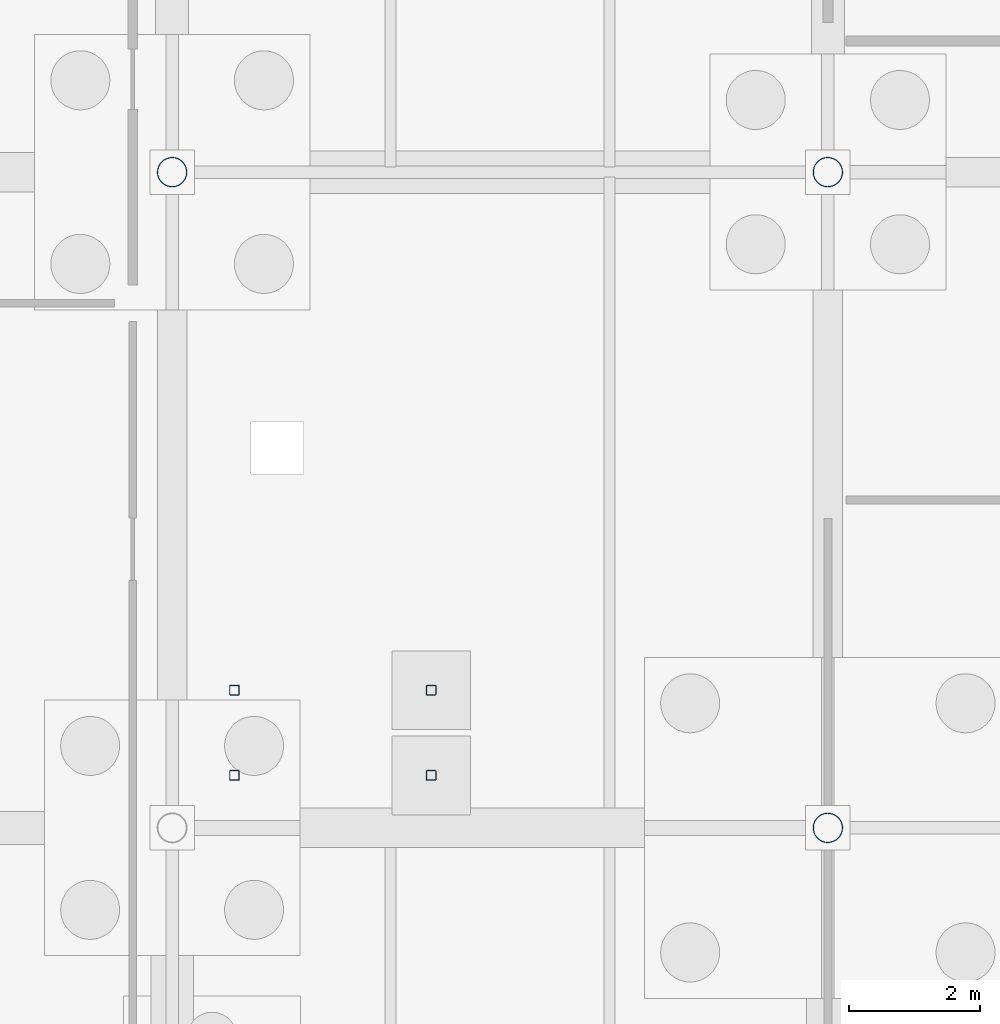
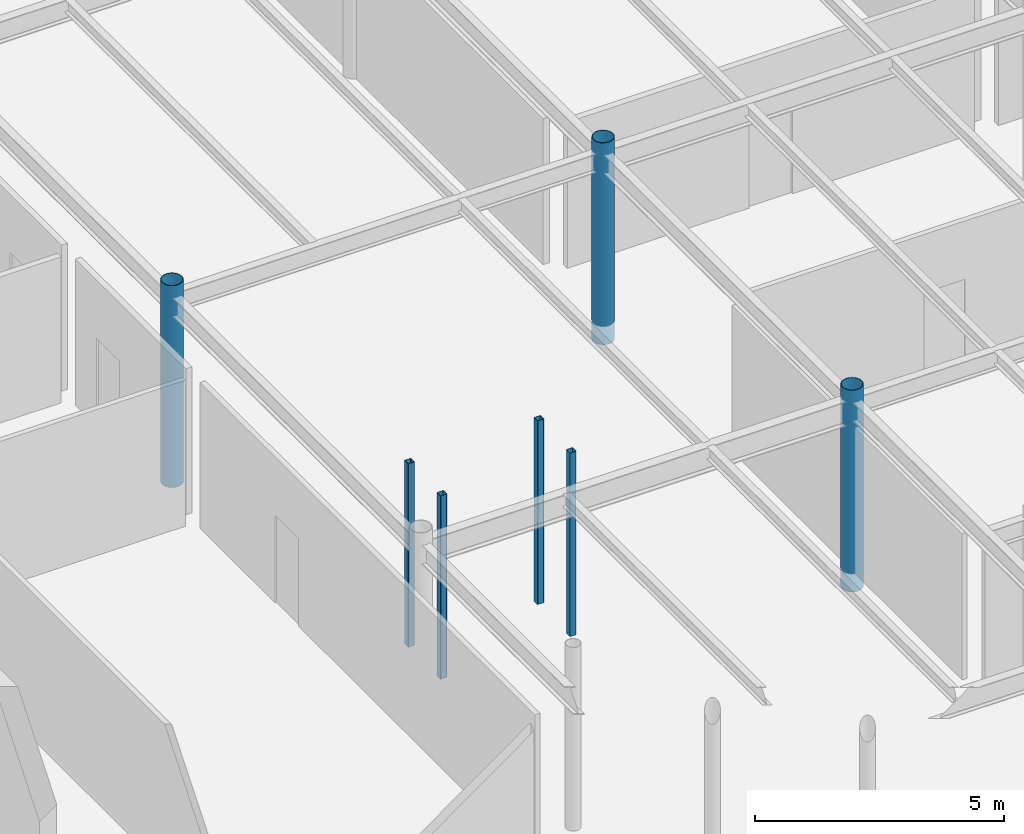
# One storey, part 19 of 75: 7 columns.
"""IFC4 building model written with IfcOpenShell, lengths in metres."""

from ifc_helpers import new_model, si_unit, derived_unit, direction, frame, origin, origin_2d_with_axis, place, context, subcontext, project, spatial, hollow_rectangle, hollow_circle, extrude, material, material_profile, profile_set, type_object, element, save


model = new_model("IFC4")

# Units and contexts
model_context = context("Model", 3, precision=1e-05, world=origin(), true_north=direction((0.0, 1.0)))
body_context = subcontext(model_context, "Body", "Model", "MODEL_VIEW")
ifc_project = project(units=[si_unit("LENGTHUNIT", "METRE"), si_unit("AREAUNIT", "SQUARE_METRE"), si_unit("VOLUMEUNIT", "CUBIC_METRE"), si_unit("PLANEANGLEUNIT", "RADIAN"), si_unit("MASSUNIT", "GRAM", prefix="KILO"), derived_unit("THERMALTRANSMITTANCEUNIT", [(si_unit("POWERUNIT", "WATT"), 1), (si_unit("LENGTHUNIT", "METRE"), -2), (si_unit("THERMODYNAMICTEMPERATUREUNIT", "KELVIN"), -1)])], contexts=[model_context])

# Site, building, storey
site_placement = place(None, origin())
site = spatial("IfcSite", under=ifc_project, at=site_placement, CompositionType="ELEMENT")
building_placement = place(site_placement, origin())
building = spatial("IfcBuilding", under=site, at=building_placement, Name="Cinnabar Yard Market Hall", CompositionType="ELEMENT")
storey_placement = place(building_placement, frame((0.0, 0.0, -4.5)))
storey = spatial("IfcBuildingStorey", under=building, at=storey_placement, Name="B1", CompositionType="ELEMENT", Elevation=-4.5)

# Columns
ifc_material_1 = material(Name="Spotted-gum glulam-clad steel Grade 350 (350 MPa)", Category="steel")
ifc_material_profile_1 = material_profile(ifc_material_1, hollow_circle(Radius=0.228515625, WallThickness=0.0126953125, at=origin_2d_with_axis()), Name="457.0x12.7CHS")
ifc_profile_set_1 = profile_set([ifc_material_profile_1], Name="Spotted-gum glulam-clad steel Grade 350 (350 MPa)")
column_type_1 = type_object("IfcColumnType", Name="COL-C01", PredefinedType="COLUMN", material=ifc_profile_set_1)
for number, where, z_axis, x_axis, name in (
    (1, (76.0, 44.0, -0.449951171875), (0.0, 0.0, 1.0), (1.0, 0.0, 0.0), "Tree Column V1I-01-03 B1"),
    (2, (86.0, 34.0, -0.449951171875), (0.0, 0.0, 1.0), (1.0, 0.0, 0.0), "Tree Column V1I-02-02 B1"),
    (3, (86.0, 44.0, -0.449951171875), (0.0, 0.0, 1.0), (1.0, 0.0, 0.0), "Tree Column V1I-02-03 B1"),
):
    element("IfcColumn", number, at=place(storey_placement, frame(where, z_axis=z_axis, x_axis=x_axis)), inside=storey, type_object=column_type_1, Name=name, PredefinedType="COLUMN", context=body_context, shape_type="SweptSolid", body=[
        extrude(hollow_circle(Radius=0.228515625, WallThickness=0.0126953125, at=origin_2d_with_axis()), origin(), (0.0, 0.0, 1.0), 4.949951171875),
    ])
ifc_material_2 = material(Name="Cold-formed steel C350L0", Category="steel")
ifc_material_profile_2 = material_profile(ifc_material_2, hollow_rectangle(XDim=0.14990234375, YDim=0.14990234375, WallThickness=0.006103515625, InnerFilletRadius=0.006103515625, OuterFilletRadius=0.011962890625, at=origin_2d_with_axis()), Name="150x150x6.0SHS")
ifc_profile_set_2 = profile_set([ifc_material_profile_2], Name="Cold-formed steel C350L0")
column_type_2 = type_object("IfcColumnType", Name="COL-C16", PredefinedType="COLUMN", material=ifc_profile_set_2)
for number, where, z_axis, x_axis, name in (
    (4, (76.949951171875, 34.800048828125, 0.0), (0.0, 0.0, 1.0), (1.0, 0.0, 0.0), "Feature Stair Pier ST-F1-1"),
    (5, (79.949951171875, 34.800048828125, 0.0), (0.0, 0.0, 1.0), (1.0, 0.0, 0.0), "Feature Stair Pier ST-F1-2"),
    (6, (76.949951171875, 36.10009765625, 0.0), (0.0, 0.0, 1.0), (1.0, 0.0, 0.0), "Feature Stair Pier ST-F1-3"),
    (7, (79.949951171875, 36.10009765625, 0.0), (0.0, 0.0, 1.0), (1.0, 0.0, 0.0), "Feature Stair Pier ST-F1-4"),
):
    element("IfcColumn", number, at=place(storey_placement, frame(where, z_axis=z_axis, x_axis=x_axis)), inside=storey, type_object=column_type_2, Name=name, PredefinedType="COLUMN", context=body_context, shape_type="SweptSolid", body=[
        extrude(hollow_rectangle(XDim=0.14990234375, YDim=0.14990234375, WallThickness=0.006103515625, InnerFilletRadius=0.006103515625, OuterFilletRadius=0.011962890625, at=origin_2d_with_axis()), origin(), (0.0, 0.0, 1.0), 4.5),
    ])

save(model, "model.ifc")
